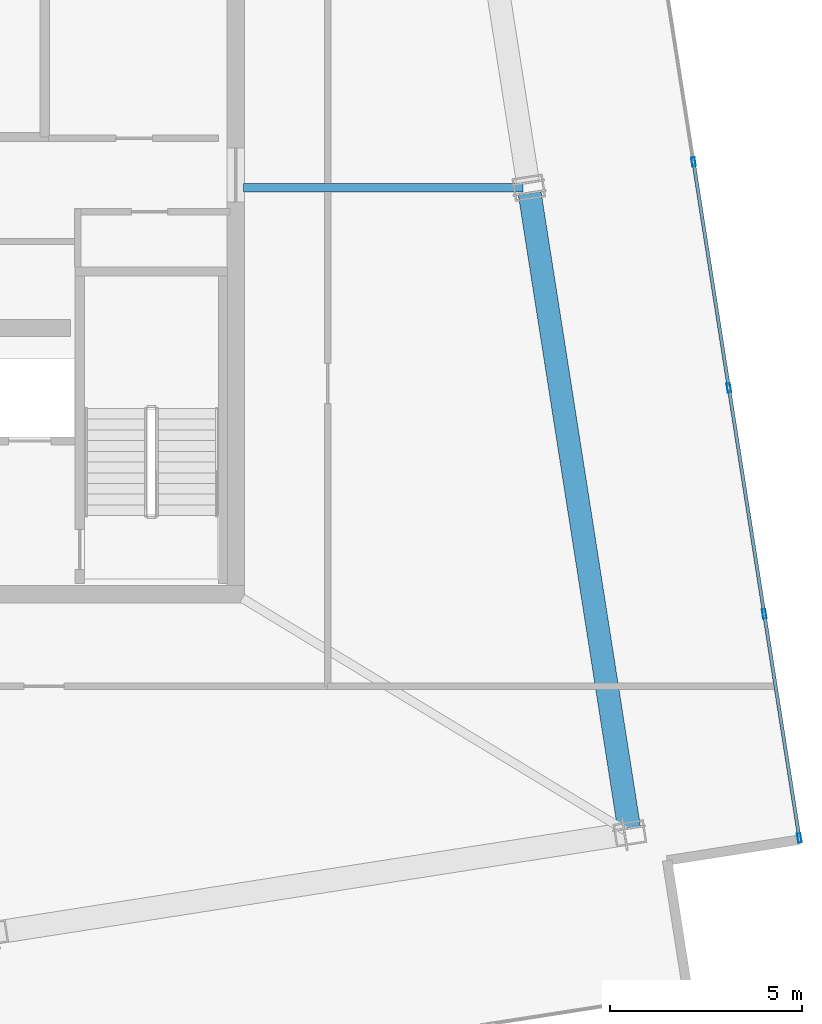
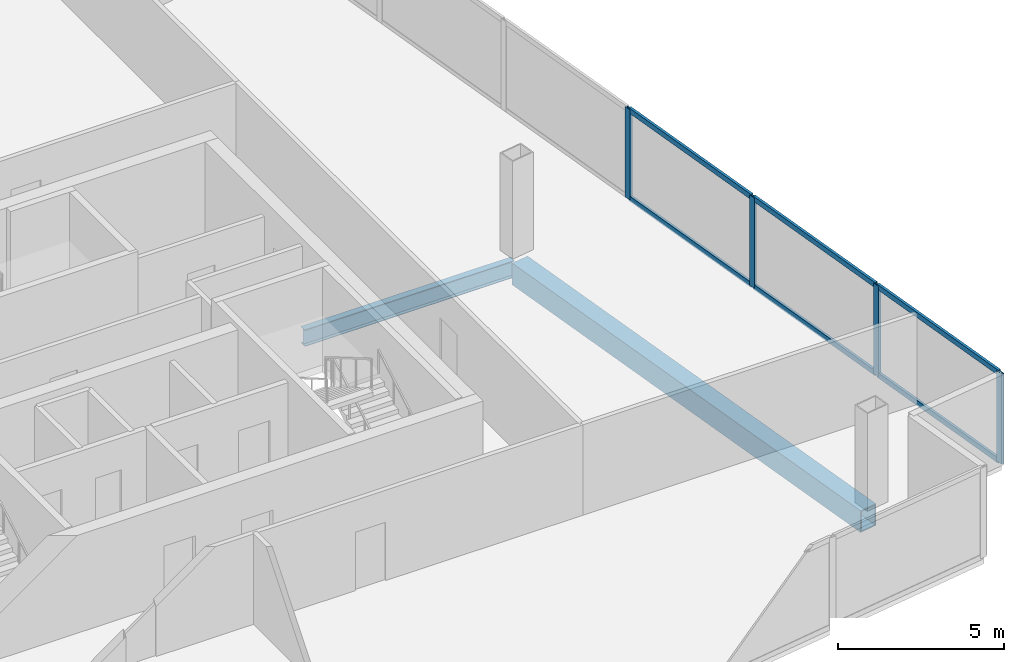
# One storey, part 7 of 17: 10 members, 2 beams, 1 element without a shape of its own.
"""IFC4 building model written with IfcOpenShell, lengths in metres."""

from ifc_helpers import new_model, si_unit, direction, frame, origin, origin_2d, place, context, subcontext, project, spatial, hollow_rectangle, i_section, extrude, material, material_profile, profile_set, type_object, element, aggregate, save


model = new_model("IFC4")

# Units and contexts
model_context = context("Model", 3, precision=1e-05, world=origin(), true_north=direction((0.0, 1.0)))
body_context = subcontext(model_context, "Body", "Model", "MODEL_VIEW")
ifc_project = project(units=[si_unit("LENGTHUNIT", "METRE"), si_unit("AREAUNIT", "SQUARE_METRE"), si_unit("VOLUMEUNIT", "CUBIC_METRE"), si_unit("PLANEANGLEUNIT", "RADIAN"), si_unit("MASSUNIT", "GRAM", prefix="KILO")], contexts=[model_context])

# Site, building, storey
site_placement = place(None, origin())
site = spatial("IfcSite", under=ifc_project, at=site_placement, CompositionType="ELEMENT")
building_placement = place(site_placement, origin())
building = spatial("IfcBuilding", under=site, at=building_placement, Name="Haldenkirk Collegiate Tower", CompositionType="ELEMENT")
storey_placement = place(building_placement, frame((0.0, 0.0, 364.199951171875)))
storey = spatial("IfcBuildingStorey", under=building, at=storey_placement, Name="L92", CompositionType="ELEMENT", Elevation=364.199951171875)

# Beams
ifc_material_1 = material(Name="Steel ASTM A992 Grade 50", Category="steel")
ifc_material_profile_1 = material_profile(ifc_material_1, i_section(OverallWidth=0.22998046875, OverallDepth=0.616943359375, WebThickness=0.01318359375, FlangeThickness=0.022216796875, at=origin_2d()), Name="W24X94")
ifc_profile_set_1 = profile_set([ifc_material_profile_1], Name="Steel ASTM A992 Grade 50")
beam_type_1 = type_object("IfcBeamType", Name="BM-GIRDER-W24X94", PredefinedType="BEAM", material=ifc_profile_set_1)
beam_1_placement = place(storey_placement, frame((52.4970703125, 28.60693359375, -0.578369140625), z_axis=(-1.0, 0.0, 0.0), x_axis=(0.0, -1.0, 0.0)))
element("IfcBeam", 1, at=beam_1_placement, inside=storey, type_object=beam_type_1, Name="L92 crown radial floor beam 2", PredefinedType="BEAM", context=body_context, shape_type="SweptSolid", body=[
    extrude(i_section(OverallWidth=0.22998046875, OverallDepth=0.616943359375, WebThickness=0.01318359375, FlangeThickness=0.022216796875, at=origin_2d()), origin(), (0.0, 0.0, 1.0), 7.297119140625),
])
ifc_material_2 = material(Name="Steel ASTM A572 Grade 50", Category="steel")
ifc_material_profile_2 = material_profile(ifc_material_2, hollow_rectangle(XDim=0.60009765625, YDim=0.800048828125, WallThickness=0.0400390625, at=origin_2d()), Name="BOX800X600X40")
ifc_profile_set_2 = profile_set([ifc_material_profile_2], Name="Steel ASTM A572 Grade 50")
beam_type_2 = type_object("IfcBeamType", Name="BM-SPANDREL-BOX800X600X40", PredefinedType="SPANDREL", material=ifc_profile_set_2)
beam_2_placement = place(storey_placement, frame((55.26171875, 11.910400390625, -0.669921875), z_axis=(-0.154705009471, 0.987960707743, 0.0), x_axis=(-0.987960707743, -0.154705009471, 0.0)))
element("IfcBeam", 2, at=beam_2_placement, inside=storey, type_object=beam_type_2, Name="L92 Crown Ring Frame perimeter girder 1", PredefinedType="SPANDREL", context=body_context, shape_type="SweptSolid", body=[
    extrude(hollow_rectangle(XDim=0.60009765625, YDim=0.800048828125, WallThickness=0.0400390625, at=origin_2d()), origin(), (0.0, 0.0, 1.0), 16.75),
])

# Curtain wall, members
ifc_material_3 = material(Name="Anodised architectural bronze aluminium", Category="aluminium")
curtain_wall_type = type_object("IfcCurtainWallType", Name="CW-SYS6-CROWN", PredefinedType="USERDEFINED", material=ifc_material_3)
curtain_wall_placement = place(storey_placement, origin())
curtain_wall = element("IfcCurtainWall", 3, at=curtain_wall_placement, inside=storey, type_object=curtain_wall_type, Name="L92 Closed crown ring ceramic-fritted bronze screen curtain wall", ObjectType="UNITISED CURTAIN WALL", PredefinedType="USERDEFINED")
ifc_material_profile_3 = material_profile(ifc_material_3, hollow_rectangle(XDim=0.090087890625, YDim=0.239990234375, WallThickness=0.0048828125, at=origin_2d()), Name="CW-MUL-06")
ifc_profile_set_3 = profile_set([ifc_material_profile_3], Name="Anodised architectural bronze aluminium")
member_type_1 = type_object("IfcMemberType", Name="CW-MUL-06", PredefinedType="MULLION", material=ifc_profile_set_3)
member_1_placement = place(storey_placement, frame((56.94482421875, 29.27978515625, 0.0), z_axis=(0.0, 0.0, 1.0), x_axis=(0.987959532462, 0.154712514742, 0.0)))
member_1 = element("IfcMember", 4, at=member_1_placement, type_object=member_type_1, Name="CW-06 mullion 4", PredefinedType="MULLION", context=body_context, shape_type="SweptSolid", body=[
    extrude(hollow_rectangle(XDim=0.090087890625, YDim=0.239990234375, WallThickness=0.0048828125, at=origin_2d()), origin(), (0.0, 0.0, 1.0), 3.330078125),
])
member_2_placement = place(storey_placement, frame((57.867919921875, 23.385009765625, 0.0), z_axis=(0.0, 0.0, 1.0), x_axis=(0.987959532462, 0.154712514742, 0.0)))
member_2 = element("IfcMember", 5, at=member_2_placement, type_object=member_type_1, Name="CW-06 mullion 5", PredefinedType="MULLION", context=body_context, shape_type="SweptSolid", body=[
    extrude(hollow_rectangle(XDim=0.090087890625, YDim=0.239990234375, WallThickness=0.0048828125, at=origin_2d()), origin(), (0.0, 0.0, 1.0), 3.330078125),
])
member_3_placement = place(storey_placement, frame((58.791015625, 17.490234375, 0.0), z_axis=(0.0, 0.0, 1.0), x_axis=(0.987959532462, 0.154712514742, 0.0)))
member_3 = element("IfcMember", 6, at=member_3_placement, type_object=member_type_1, Name="CW-06 mullion 6", PredefinedType="MULLION", context=body_context, shape_type="SweptSolid", body=[
    extrude(hollow_rectangle(XDim=0.090087890625, YDim=0.239990234375, WallThickness=0.0048828125, at=origin_2d()), origin(), (0.0, 0.0, 1.0), 3.330078125),
])
member_4_placement = place(storey_placement, frame((59.70703125, 11.639892578125, 0.0), z_axis=(0.0, 0.0, 1.0), x_axis=(0.987959532462, 0.154712514742, 0.0)))
member_4 = element("IfcMember", 7, at=member_4_placement, type_object=member_type_1, Name="CW-06 mullion 7", PredefinedType="MULLION", context=body_context, shape_type="SweptSolid", body=[
    extrude(hollow_rectangle(XDim=0.090087890625, YDim=0.239990234375, WallThickness=0.0048828125, at=origin_2d()), origin(), (0.0, 0.0, 1.0), 3.330078125),
])
ifc_material_profile_4 = material_profile(ifc_material_3, hollow_rectangle(XDim=0.090087890625, YDim=0.18994140625, WallThickness=0.0048828125, at=origin_2d()), Name="CW-TRN-06")
ifc_profile_set_4 = profile_set([ifc_material_profile_4], Name="Anodised architectural bronze aluminium")
member_type_2 = type_object("IfcMemberType", Name="CW-TRN-06", PredefinedType="USERDEFINED", material=ifc_profile_set_4)
member_5_placement = place(storey_placement, frame((56.95166015625, 29.2353515625, 0.045166015625), z_axis=(0.154710174658, -0.987959898912, 0.0), x_axis=(0.987959898912, 0.154710174658, 0.0)))
member_5 = element("IfcMember", 8, at=member_5_placement, type_object=member_type_2, Name="CW-06 transom 4.1", ObjectType="TRANSOM", PredefinedType="USERDEFINED", context=body_context, shape_type="SweptSolid", body=[
    extrude(hollow_rectangle(XDim=0.090087890625, YDim=0.18994140625, WallThickness=0.0048828125, at=origin_2d()), origin(), (0.0, 0.0, 1.0), 5.876708984375),
])
member_6_placement = place(storey_placement, frame((56.95166015625, 29.2353515625, 3.28515625), z_axis=(0.154710174658, -0.987959898912, 0.0), x_axis=(0.987959898912, 0.154710174658, 0.0)))
member_6 = element("IfcMember", 9, at=member_6_placement, type_object=member_type_2, Name="CW-06 transom 4.2", ObjectType="TRANSOM", PredefinedType="USERDEFINED", context=body_context, shape_type="SweptSolid", body=[
    extrude(hollow_rectangle(XDim=0.090087890625, YDim=0.18994140625, WallThickness=0.0048828125, at=origin_2d()), origin(), (0.0, 0.0, 1.0), 5.876708984375),
])
member_7_placement = place(storey_placement, frame((57.874755859375, 23.340576171875, 0.045166015625), z_axis=(0.154710174658, -0.987959898912, 0.0), x_axis=(0.987959898912, 0.154710174658, 0.0)))
member_7 = element("IfcMember", 10, at=member_7_placement, type_object=member_type_2, Name="CW-06 transom 5.1", ObjectType="TRANSOM", PredefinedType="USERDEFINED", context=body_context, shape_type="SweptSolid", body=[
    extrude(hollow_rectangle(XDim=0.090087890625, YDim=0.18994140625, WallThickness=0.0048828125, at=origin_2d()), origin(), (0.0, 0.0, 1.0), 5.876708984375),
])
member_8_placement = place(storey_placement, frame((57.874755859375, 23.340576171875, 3.28515625), z_axis=(0.154710174658, -0.987959898912, 0.0), x_axis=(0.987959898912, 0.154710174658, 0.0)))
member_8 = element("IfcMember", 11, at=member_8_placement, type_object=member_type_2, Name="CW-06 transom 5.2", ObjectType="TRANSOM", PredefinedType="USERDEFINED", context=body_context, shape_type="SweptSolid", body=[
    extrude(hollow_rectangle(XDim=0.090087890625, YDim=0.18994140625, WallThickness=0.0048828125, at=origin_2d()), origin(), (0.0, 0.0, 1.0), 5.876708984375),
])
member_9_placement = place(storey_placement, frame((58.7978515625, 17.44580078125, 0.045166015625), z_axis=(0.154730622105, -0.987956696714, 0.0), x_axis=(0.987956696714, 0.154730622105, 0.0)))
member_9 = element("IfcMember", 12, at=member_9_placement, type_object=member_type_2, Name="CW-06 transom 6.1", ObjectType="TRANSOM", PredefinedType="USERDEFINED", context=body_context, shape_type="SweptSolid", body=[
    extrude(hollow_rectangle(XDim=0.090087890625, YDim=0.18994140625, WallThickness=0.0048828125, at=origin_2d()), origin(), (0.0, 0.0, 1.0), 5.831787109375),
])
member_10_placement = place(storey_placement, frame((58.7978515625, 17.44580078125, 3.28515625), z_axis=(0.154730622105, -0.987956696714, 0.0), x_axis=(0.987956696714, 0.154730622105, 0.0)))
member_10 = element("IfcMember", 13, at=member_10_placement, type_object=member_type_2, Name="CW-06 transom 6.2", ObjectType="TRANSOM", PredefinedType="USERDEFINED", context=body_context, shape_type="SweptSolid", body=[
    extrude(hollow_rectangle(XDim=0.090087890625, YDim=0.18994140625, WallThickness=0.0048828125, at=origin_2d()), origin(), (0.0, 0.0, 1.0), 5.831787109375),
])
aggregate(curtain_wall, [member_1, member_2, member_3, member_4, member_5, member_6, member_7, member_8, member_9, member_10])

save(model, "model.ifc")
